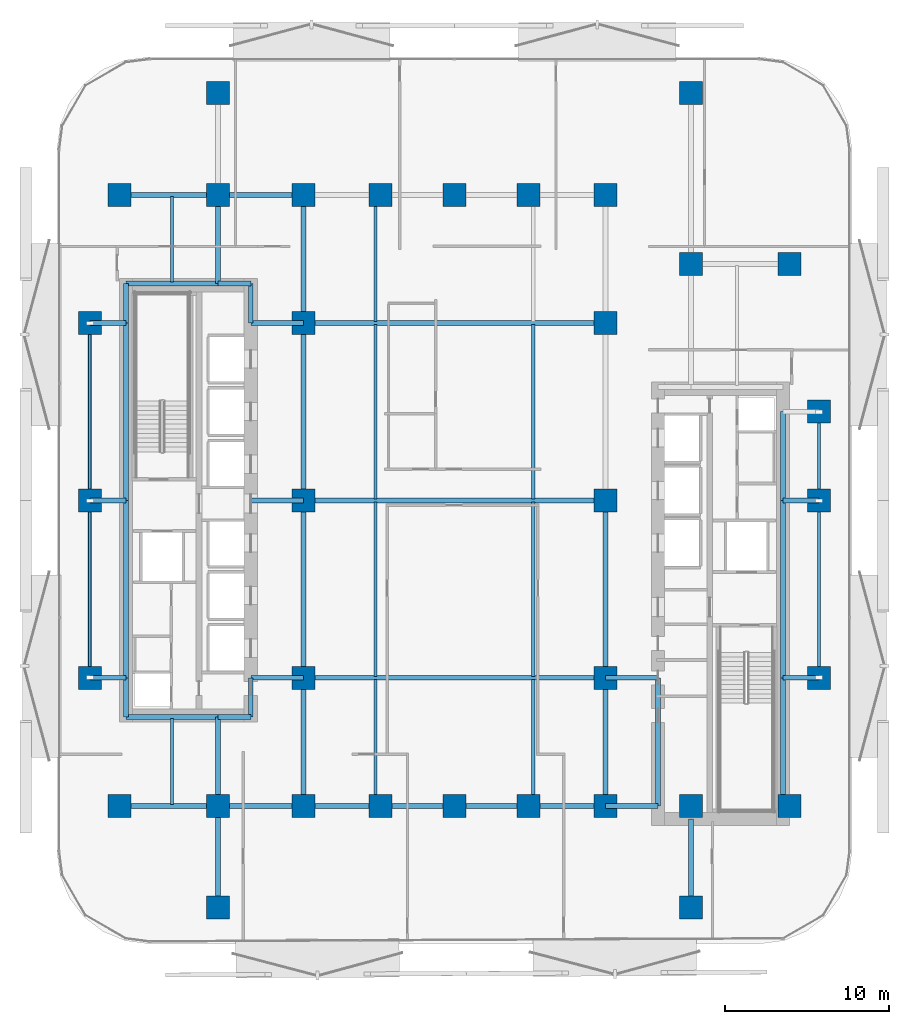
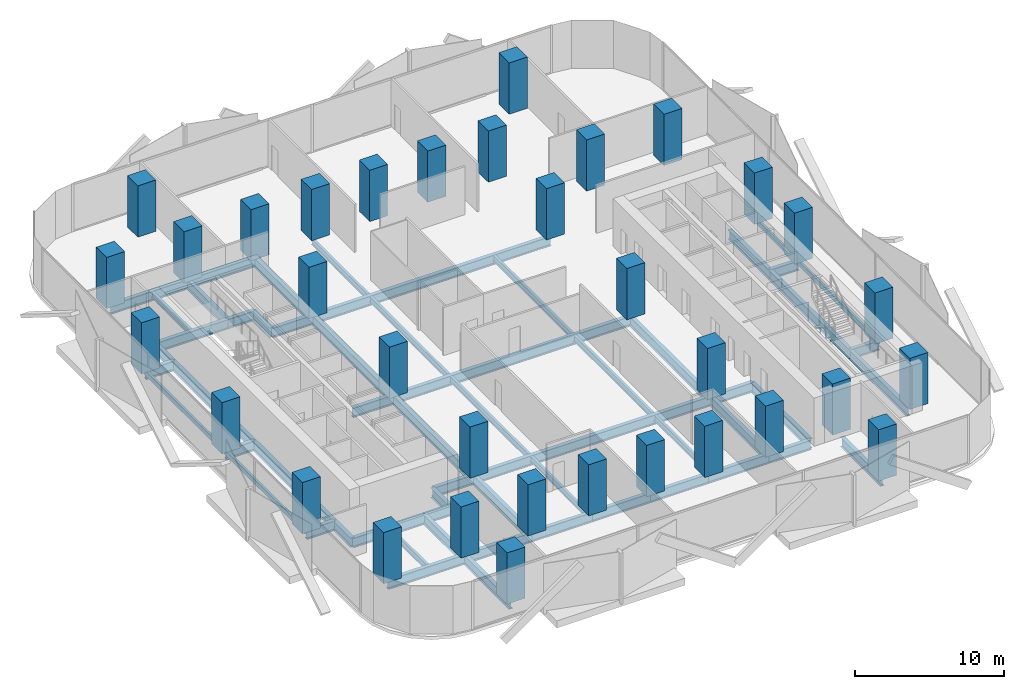
# One storey, part 1 of 15: 58 beams, 34 columns.
"""IFC4 building model written with IfcOpenShell, lengths in metres."""

from ifc_helpers import new_model, si_unit, direction, frame, origin, origin_2d, place, context, subcontext, project, spatial, rectangle, hollow_rectangle, i_section, extrude, material, material_profile, profile_set, type_object, element, save


model = new_model("IFC4")

# Units and contexts
model_context = context("Model", 3, precision=1e-05, world=origin(), true_north=direction((0.0, 1.0)))
body_context = subcontext(model_context, "Body", "Model", "MODEL_VIEW")
ifc_project = project(units=[si_unit("LENGTHUNIT", "METRE"), si_unit("AREAUNIT", "SQUARE_METRE"), si_unit("VOLUMEUNIT", "CUBIC_METRE"), si_unit("PLANEANGLEUNIT", "RADIAN"), si_unit("MASSUNIT", "GRAM", prefix="KILO")], contexts=[model_context])

# Site, building, storey
site_placement = place(None, origin())
site = spatial("IfcSite", under=ifc_project, at=site_placement, CompositionType="ELEMENT")
building_placement = place(site_placement, origin())
building = spatial("IfcBuilding", under=site, at=building_placement, Name="Khairoan Windgate Tower", CompositionType="ELEMENT")
storey_placement = place(building_placement, frame((0.0, 0.0, 76.39990234375)))
storey = spatial("IfcBuildingStorey", under=building, at=storey_placement, Name="L18", CompositionType="ELEMENT", Elevation=76.39990234375)

# Columns
ifc_material_1 = material(Name="Concrete C60/75", Category="concrete")
ifc_material_profile_1 = material_profile(ifc_material_1, rectangle(XDim=1.39990234375, YDim=1.39990234375, at=origin_2d()))
ifc_profile_set_1 = profile_set([ifc_material_profile_1], Name="Concrete C60/75")
column_type = type_object("IfcColumnType", Name="Column C-T2 RC1400x1400", PredefinedType="COLUMN", material=ifc_profile_set_1)
for number, where, z_axis, x_axis, name in (
    (1, (-9.199951171875, -18.60009765625, 0.0), (0.0, 0.0, 1.0), (1.0, 0.0, 0.0), "Column L18-01"),
    (2, (-9.199951171875, -10.800048828125, 0.0), (0.0, 0.0, 1.0), (1.0, 0.0, 0.0), "Column L18-02"),
    (3, (-9.199951171875, 0.0, 0.0), (0.0, 0.0, 1.0), (1.0, 0.0, 0.0), "Column L18-03"),
    (4, (-9.199951171875, 10.800048828125, 0.0), (0.0, 0.0, 1.0), (1.0, 0.0, 0.0), "Column L18-04"),
    (5, (-9.199951171875, 18.60009765625, 0.0), (0.0, 0.0, 1.0), (1.0, 0.0, 0.0), "Column L18-05"),
    (6, (9.199951171875, -18.60009765625, 0.0), (0.0, 0.0, 1.0), (1.0, 0.0, 0.0), "Column L18-06"),
    (7, (9.199951171875, -10.800048828125, 0.0), (0.0, 0.0, 1.0), (1.0, 0.0, 0.0), "Column L18-07"),
    (8, (9.199951171875, 0.0, 0.0), (0.0, 0.0, 1.0), (1.0, 0.0, 0.0), "Column L18-08"),
    (9, (9.199951171875, 10.800048828125, 0.0), (0.0, 0.0, 1.0), (1.0, 0.0, 0.0), "Column L18-09"),
    (10, (9.199951171875, 18.60009765625, 0.0), (0.0, 0.0, 1.0), (1.0, 0.0, 0.0), "Column L18-10"),
    (11, (-20.39990234375, -18.60009765625, 0.0), (0.0, 0.0, 1.0), (1.0, 0.0, 0.0), "Column L18-11"),
    (12, (-20.39990234375, 18.60009765625, 0.0), (0.0, 0.0, 1.0), (1.0, 0.0, 0.0), "Column L18-12"),
    (13, (20.39990234375, -18.60009765625, 0.0), (0.0, 0.0, 1.0), (1.0, 0.0, 0.0), "Column L18-13"),
    (14, (20.39990234375, 14.39990234375, 0.0), (0.0, 0.0, 1.0), (1.0, 0.0, 0.0), "Column L18-14"),
    (15, (-14.39990234375, -18.60009765625, 0.0), (0.0, 0.0, 1.0), (1.0, 0.0, 0.0), "Column L18-15"),
    (16, (-14.39990234375, 18.60009765625, 0.0), (0.0, 0.0, 1.0), (1.0, 0.0, 0.0), "Column L18-16"),
    (17, (14.39990234375, -18.60009765625, 0.0), (0.0, 0.0, 1.0), (1.0, 0.0, 0.0), "Column L18-17"),
    (18, (14.39990234375, 14.39990234375, 0.0), (0.0, 0.0, 1.0), (1.0, 0.0, 0.0), "Column L18-18"),
    (19, (-4.5, -18.60009765625, 0.0), (0.0, 0.0, 1.0), (1.0, 0.0, 0.0), "Column L18-19"),
    (20, (0.0, -18.60009765625, 0.0), (0.0, 0.0, 1.0), (1.0, 0.0, 0.0), "Column L18-20"),
    (21, (4.5, -18.60009765625, 0.0), (0.0, 0.0, 1.0), (1.0, 0.0, 0.0), "Column L18-21"),
    (22, (-4.5, 18.60009765625, 0.0), (0.0, 0.0, 1.0), (1.0, 0.0, 0.0), "Column L18-22"),
    (23, (0.0, 18.60009765625, 0.0), (0.0, 0.0, 1.0), (1.0, 0.0, 0.0), "Column L18-23"),
    (24, (4.5, 18.60009765625, 0.0), (0.0, 0.0, 1.0), (1.0, 0.0, 0.0), "Column L18-24"),
    (25, (-22.199951171875, -10.800048828125, 0.0), (0.0, 0.0, 1.0), (1.0, 0.0, 0.0), "Column L18-25"),
    (26, (-22.199951171875, 0.0, 0.0), (0.0, 0.0, 1.0), (1.0, 0.0, 0.0), "Column L18-26"),
    (27, (-22.199951171875, 10.800048828125, 0.0), (0.0, 0.0, 1.0), (1.0, 0.0, 0.0), "Column L18-27"),
    (28, (22.199951171875, -10.800048828125, 0.0), (0.0, 0.0, 1.0), (1.0, 0.0, 0.0), "Column L18-28"),
    (29, (22.199951171875, 0.0, 0.0), (0.0, 0.0, 1.0), (1.0, 0.0, 0.0), "Column L18-29"),
    (30, (22.199951171875, 5.39990234375, 0.0), (0.0, 0.0, 1.0), (1.0, 0.0, 0.0), "Column L18-30"),
    (31, (-14.39990234375, -24.800048828125, 0.0), (0.0, 0.0, 1.0), (1.0, 0.0, 0.0), "Column L18-31"),
    (32, (-14.39990234375, 24.800048828125, 0.0), (0.0, 0.0, 1.0), (1.0, 0.0, 0.0), "Column L18-32"),
    (33, (14.39990234375, -24.800048828125, 0.0), (0.0, 0.0, 1.0), (1.0, 0.0, 0.0), "Column L18-33"),
    (34, (14.39990234375, 24.800048828125, 0.0), (0.0, 0.0, 1.0), (1.0, 0.0, 0.0), "Column L18-34"),
):
    element("IfcColumn", number, at=place(storey_placement, frame(where, z_axis=z_axis, x_axis=x_axis)), inside=storey, type_object=column_type, Name=name, PredefinedType="COLUMN", context=body_context, shape_type="SweptSolid", body=[
        extrude(rectangle(XDim=1.39990234375, YDim=1.39990234375, at=origin_2d()), origin(), (0.0, 0.0, 1.0), 4.2001953125),
    ])

# Beams
ifc_material_2 = material(Name="Steel S355", Category="steel")
ifc_material_profile_2 = material_profile(ifc_material_2, i_section(OverallWidth=0.300048828125, OverallDepth=0.800048828125, WebThickness=0.013916015625, FlangeThickness=0.02587890625, FilletRadius=0.028076171875, at=origin_2d()))
ifc_profile_set_2 = profile_set([ifc_material_profile_2], Name="Steel S355")
beam_type_1 = type_object("IfcBeamType", Name="Beam B-G2 H800x300x14x26", PredefinedType="BEAM", material=ifc_profile_set_2)
beam_1_placement = place(storey_placement, frame((-20.39990234375, -18.60009765625, -0.659912109375), z_axis=(1.0, 0.0, 0.0), x_axis=(0.0, 1.0, 0.0)))
element("IfcBeam", 35, at=beam_1_placement, inside=storey, type_object=beam_type_1, Name="L18 E-W Primary Girder 01", PredefinedType="BEAM", context=body_context, shape_type="SweptSolid", body=[
    extrude(i_section(OverallWidth=0.300048828125, OverallDepth=0.800048828125, WebThickness=0.013916015625, FlangeThickness=0.02587890625, FilletRadius=0.028076171875, at=origin_2d()), origin(), (0.0, 0.0, 1.0), 6.0),
])
beam_2_placement = place(storey_placement, frame((-14.39990234375, -18.60009765625, -0.659912109375), z_axis=(1.0, 0.0, 0.0), x_axis=(0.0, 1.0, 0.0)))
element("IfcBeam", 36, at=beam_2_placement, inside=storey, type_object=beam_type_1, Name="L18 E-W Primary Girder 02", PredefinedType="BEAM", context=body_context, shape_type="SweptSolid", body=[
    extrude(i_section(OverallWidth=0.300048828125, OverallDepth=0.800048828125, WebThickness=0.013916015625, FlangeThickness=0.02587890625, FilletRadius=0.028076171875, at=origin_2d()), origin(), (0.0, 0.0, 1.0), 5.199951171875),
])
beam_3_placement = place(storey_placement, frame((-9.199951171875, -18.60009765625, -0.659912109375), z_axis=(1.0, 0.0, 0.0), x_axis=(0.0, 1.0, 0.0)))
element("IfcBeam", 37, at=beam_3_placement, inside=storey, type_object=beam_type_1, Name="L18 E-W Primary Girder 03", PredefinedType="BEAM", context=body_context, shape_type="SweptSolid", body=[
    extrude(i_section(OverallWidth=0.300048828125, OverallDepth=0.800048828125, WebThickness=0.013916015625, FlangeThickness=0.02587890625, FilletRadius=0.028076171875, at=origin_2d()), origin(), (0.0, 0.0, 1.0), 4.699951171875),
])
for number, where, z_axis, x_axis, name in (
    (38, (-4.5, -18.60009765625, -0.659912109375), (1.0, 0.0, 0.0), (0.0, 1.0, 0.0), "L18 E-W Primary Girder 04"),
    (39, (0.0, -18.60009765625, -0.659912109375), (1.0, 0.0, 0.0), (0.0, 1.0, 0.0), "L18 E-W Primary Girder 05"),
):
    element("IfcBeam", number, at=place(storey_placement, frame(where, z_axis=z_axis, x_axis=x_axis)), inside=storey, type_object=beam_type_1, Name=name, PredefinedType="BEAM", context=body_context, shape_type="SweptSolid", body=[
        extrude(i_section(OverallWidth=0.300048828125, OverallDepth=0.800048828125, WebThickness=0.013916015625, FlangeThickness=0.02587890625, FilletRadius=0.028076171875, at=origin_2d()), origin(), (0.0, 0.0, 1.0), 4.5),
    ])
beam_4_placement = place(storey_placement, frame((4.5, -18.60009765625, -0.659912109375), z_axis=(1.0, 0.0, 0.0), x_axis=(0.0, 1.0, 0.0)))
element("IfcBeam", 40, at=beam_4_placement, inside=storey, type_object=beam_type_1, Name="L18 E-W Primary Girder 06", PredefinedType="BEAM", context=body_context, shape_type="SweptSolid", body=[
    extrude(i_section(OverallWidth=0.300048828125, OverallDepth=0.800048828125, WebThickness=0.013916015625, FlangeThickness=0.02587890625, FilletRadius=0.028076171875, at=origin_2d()), origin(), (0.0, 0.0, 1.0), 4.699951171875),
])
beam_5_placement = place(storey_placement, frame((9.199951171875, -18.60009765625, -0.659912109375), z_axis=(1.0, 0.0, 0.0), x_axis=(0.0, 1.0, 0.0)))
element("IfcBeam", 41, at=beam_5_placement, inside=storey, type_object=beam_type_1, Name="L18 E-W Primary Girder 07", PredefinedType="BEAM", context=body_context, shape_type="SweptSolid", body=[
    extrude(i_section(OverallWidth=0.300048828125, OverallDepth=0.800048828125, WebThickness=0.013916015625, FlangeThickness=0.02587890625, FilletRadius=0.028076171875, at=origin_2d()), origin(), (0.0, 0.0, 1.0), 3.199951171875),
])
beam_6_placement = place(storey_placement, frame((-20.0, -13.199951171875, -0.659912109375), z_axis=(1.0, 0.0, 0.0), x_axis=(0.0, 1.0, 0.0)))
element("IfcBeam", 42, at=beam_6_placement, inside=storey, type_object=beam_type_1, Name="L18 E-W Primary Girder 08", PredefinedType="BEAM", context=body_context, shape_type="SweptSolid", body=[
    extrude(i_section(OverallWidth=0.300048828125, OverallDepth=0.800048828125, WebThickness=0.013916015625, FlangeThickness=0.02587890625, FilletRadius=0.028076171875, at=origin_2d()), origin(), (0.0, 0.0, 1.0), 5.60009765625),
])
beam_7_placement = place(storey_placement, frame((-14.39990234375, -13.199951171875, -0.659912109375), z_axis=(1.0, 0.0, 0.0), x_axis=(0.0, 1.0, 0.0)))
element("IfcBeam", 43, at=beam_7_placement, inside=storey, type_object=beam_type_1, Name="L18 E-W Primary Girder 09", PredefinedType="BEAM", context=body_context, shape_type="SweptSolid", body=[
    extrude(i_section(OverallWidth=0.300048828125, OverallDepth=0.800048828125, WebThickness=0.013916015625, FlangeThickness=0.02587890625, FilletRadius=0.028076171875, at=origin_2d()), origin(), (0.0, 0.0, 1.0), 2.0),
])
beam_8_placement = place(storey_placement, frame((-22.199951171875, -10.800048828125, -0.659912109375), z_axis=(1.0, 0.0, 0.0), x_axis=(0.0, 1.0, 0.0)))
element("IfcBeam", 44, at=beam_8_placement, inside=storey, type_object=beam_type_1, Name="L18 E-W Primary Girder 10", PredefinedType="BEAM", context=body_context, shape_type="SweptSolid", body=[
    extrude(i_section(OverallWidth=0.300048828125, OverallDepth=0.800048828125, WebThickness=0.013916015625, FlangeThickness=0.02587890625, FilletRadius=0.028076171875, at=origin_2d()), origin(), (0.0, 0.0, 1.0), 2.199951171875),
])
beam_9_placement = place(storey_placement, frame((-12.39990234375, -10.800048828125, -0.659912109375), z_axis=(1.0, 0.0, 0.0), x_axis=(0.0, 1.0, 0.0)))
element("IfcBeam", 45, at=beam_9_placement, inside=storey, type_object=beam_type_1, Name="L18 E-W Primary Girder 11", PredefinedType="BEAM", context=body_context, shape_type="SweptSolid", body=[
    extrude(i_section(OverallWidth=0.300048828125, OverallDepth=0.800048828125, WebThickness=0.013916015625, FlangeThickness=0.02587890625, FilletRadius=0.028076171875, at=origin_2d()), origin(), (0.0, 0.0, 1.0), 3.199951171875),
])
beam_10_placement = place(storey_placement, frame((-9.199951171875, -10.800048828125, -0.659912109375), z_axis=(1.0, 0.0, 0.0), x_axis=(0.0, 1.0, 0.0)))
element("IfcBeam", 46, at=beam_10_placement, inside=storey, type_object=beam_type_1, Name="L18 E-W Primary Girder 12", PredefinedType="BEAM", context=body_context, shape_type="SweptSolid", body=[
    extrude(i_section(OverallWidth=0.300048828125, OverallDepth=0.800048828125, WebThickness=0.013916015625, FlangeThickness=0.02587890625, FilletRadius=0.028076171875, at=origin_2d()), origin(), (0.0, 0.0, 1.0), 18.39990234375),
])
beam_11_placement = place(storey_placement, frame((9.199951171875, -10.800048828125, -0.659912109375), z_axis=(1.0, 0.0, 0.0), x_axis=(0.0, 1.0, 0.0)))
element("IfcBeam", 47, at=beam_11_placement, inside=storey, type_object=beam_type_1, Name="L18 E-W Primary Girder 13", PredefinedType="BEAM", context=body_context, shape_type="SweptSolid", body=[
    extrude(i_section(OverallWidth=0.300048828125, OverallDepth=0.800048828125, WebThickness=0.013916015625, FlangeThickness=0.02587890625, FilletRadius=0.028076171875, at=origin_2d()), origin(), (0.0, 0.0, 1.0), 3.199951171875),
])
for number, where, z_axis, x_axis, name in (
    (48, (20.0, -10.800048828125, -0.659912109375), (1.0, 0.0, 0.0), (0.0, 1.0, 0.0), "L18 E-W Primary Girder 14"),
    (49, (-22.199951171875, 0.0, -0.659912109375), (1.0, 0.0, 0.0), (0.0, 1.0, 0.0), "L18 E-W Primary Girder 15"),
):
    element("IfcBeam", number, at=place(storey_placement, frame(where, z_axis=z_axis, x_axis=x_axis)), inside=storey, type_object=beam_type_1, Name=name, PredefinedType="BEAM", context=body_context, shape_type="SweptSolid", body=[
        extrude(i_section(OverallWidth=0.300048828125, OverallDepth=0.800048828125, WebThickness=0.013916015625, FlangeThickness=0.02587890625, FilletRadius=0.028076171875, at=origin_2d()), origin(), (0.0, 0.0, 1.0), 2.199951171875),
    ])
beam_12_placement = place(storey_placement, frame((-12.39990234375, 0.0, -0.659912109375), z_axis=(1.0, 0.0, 0.0), x_axis=(0.0, 1.0, 0.0)))
element("IfcBeam", 50, at=beam_12_placement, inside=storey, type_object=beam_type_1, Name="L18 E-W Primary Girder 16", PredefinedType="BEAM", context=body_context, shape_type="SweptSolid", body=[
    extrude(i_section(OverallWidth=0.300048828125, OverallDepth=0.800048828125, WebThickness=0.013916015625, FlangeThickness=0.02587890625, FilletRadius=0.028076171875, at=origin_2d()), origin(), (0.0, 0.0, 1.0), 3.199951171875),
])
beam_13_placement = place(storey_placement, frame((-9.199951171875, 0.0, -0.659912109375), z_axis=(1.0, 0.0, 0.0), x_axis=(0.0, 1.0, 0.0)))
element("IfcBeam", 51, at=beam_13_placement, inside=storey, type_object=beam_type_1, Name="L18 E-W Primary Girder 17", PredefinedType="BEAM", context=body_context, shape_type="SweptSolid", body=[
    extrude(i_section(OverallWidth=0.300048828125, OverallDepth=0.800048828125, WebThickness=0.013916015625, FlangeThickness=0.02587890625, FilletRadius=0.028076171875, at=origin_2d()), origin(), (0.0, 0.0, 1.0), 18.39990234375),
])
for number, where, z_axis, x_axis, name in (
    (52, (20.0, 0.0, -0.659912109375), (1.0, 0.0, 0.0), (0.0, 1.0, 0.0), "L18 E-W Primary Girder 18"),
    (53, (-22.199951171875, 10.800048828125, -0.659912109375), (1.0, 0.0, 0.0), (0.0, 1.0, 0.0), "L18 E-W Primary Girder 22"),
):
    element("IfcBeam", number, at=place(storey_placement, frame(where, z_axis=z_axis, x_axis=x_axis)), inside=storey, type_object=beam_type_1, Name=name, PredefinedType="BEAM", context=body_context, shape_type="SweptSolid", body=[
        extrude(i_section(OverallWidth=0.300048828125, OverallDepth=0.800048828125, WebThickness=0.013916015625, FlangeThickness=0.02587890625, FilletRadius=0.028076171875, at=origin_2d()), origin(), (0.0, 0.0, 1.0), 2.199951171875),
    ])
beam_14_placement = place(storey_placement, frame((-12.39990234375, 10.800048828125, -0.659912109375), z_axis=(1.0, 0.0, 0.0), x_axis=(0.0, 1.0, 0.0)))
element("IfcBeam", 54, at=beam_14_placement, inside=storey, type_object=beam_type_1, Name="L18 E-W Primary Girder 23", PredefinedType="BEAM", context=body_context, shape_type="SweptSolid", body=[
    extrude(i_section(OverallWidth=0.300048828125, OverallDepth=0.800048828125, WebThickness=0.013916015625, FlangeThickness=0.02587890625, FilletRadius=0.028076171875, at=origin_2d()), origin(), (0.0, 0.0, 1.0), 3.199951171875),
])
beam_15_placement = place(storey_placement, frame((-9.199951171875, 10.800048828125, -0.659912109375), z_axis=(1.0, 0.0, 0.0), x_axis=(0.0, 1.0, 0.0)))
element("IfcBeam", 55, at=beam_15_placement, inside=storey, type_object=beam_type_1, Name="L18 E-W Primary Girder 24", PredefinedType="BEAM", context=body_context, shape_type="SweptSolid", body=[
    extrude(i_section(OverallWidth=0.300048828125, OverallDepth=0.800048828125, WebThickness=0.013916015625, FlangeThickness=0.02587890625, FilletRadius=0.028076171875, at=origin_2d()), origin(), (0.0, 0.0, 1.0), 18.39990234375),
])
beam_16_placement = place(storey_placement, frame((-20.0, 13.199951171875, -0.659912109375), z_axis=(1.0, 0.0, 0.0), x_axis=(0.0, 1.0, 0.0)))
element("IfcBeam", 56, at=beam_16_placement, inside=storey, type_object=beam_type_1, Name="L18 E-W Primary Girder 25", PredefinedType="BEAM", context=body_context, shape_type="SweptSolid", body=[
    extrude(i_section(OverallWidth=0.300048828125, OverallDepth=0.800048828125, WebThickness=0.013916015625, FlangeThickness=0.02587890625, FilletRadius=0.028076171875, at=origin_2d()), origin(), (0.0, 0.0, 1.0), 5.60009765625),
])
beam_17_placement = place(storey_placement, frame((-14.39990234375, 13.199951171875, -0.659912109375), z_axis=(1.0, 0.0, 0.0), x_axis=(0.0, 1.0, 0.0)))
element("IfcBeam", 57, at=beam_17_placement, inside=storey, type_object=beam_type_1, Name="L18 E-W Primary Girder 26", PredefinedType="BEAM", context=body_context, shape_type="SweptSolid", body=[
    extrude(i_section(OverallWidth=0.300048828125, OverallDepth=0.800048828125, WebThickness=0.013916015625, FlangeThickness=0.02587890625, FilletRadius=0.028076171875, at=origin_2d()), origin(), (0.0, 0.0, 1.0), 2.0),
])
beam_18_placement = place(storey_placement, frame((-20.39990234375, 18.60009765625, -0.659912109375), z_axis=(1.0, 0.0, 0.0), x_axis=(0.0, 1.0, 0.0)))
element("IfcBeam", 58, at=beam_18_placement, inside=storey, type_object=beam_type_1, Name="L18 E-W Primary Girder 28", PredefinedType="BEAM", context=body_context, shape_type="SweptSolid", body=[
    extrude(i_section(OverallWidth=0.300048828125, OverallDepth=0.800048828125, WebThickness=0.013916015625, FlangeThickness=0.02587890625, FilletRadius=0.028076171875, at=origin_2d()), origin(), (0.0, 0.0, 1.0), 6.0),
])
beam_19_placement = place(storey_placement, frame((-14.39990234375, 18.60009765625, -0.659912109375), z_axis=(1.0, 0.0, 0.0), x_axis=(0.0, 1.0, 0.0)))
element("IfcBeam", 59, at=beam_19_placement, inside=storey, type_object=beam_type_1, Name="L18 E-W Primary Girder 29", PredefinedType="BEAM", context=body_context, shape_type="SweptSolid", body=[
    extrude(i_section(OverallWidth=0.300048828125, OverallDepth=0.800048828125, WebThickness=0.013916015625, FlangeThickness=0.02587890625, FilletRadius=0.028076171875, at=origin_2d()), origin(), (0.0, 0.0, 1.0), 5.199951171875),
])
beam_20_placement = place(storey_placement, frame((-20.0, -13.199951171875, -0.659912109375), z_axis=(0.0, 1.0, 0.0), x_axis=(-1.0, 0.0, 0.0)))
element("IfcBeam", 60, at=beam_20_placement, inside=storey, type_object=beam_type_1, Name="L18 N-S Primary Beam 36", PredefinedType="BEAM", context=body_context, shape_type="SweptSolid", body=[
    extrude(i_section(OverallWidth=0.300048828125, OverallDepth=0.800048828125, WebThickness=0.013916015625, FlangeThickness=0.02587890625, FilletRadius=0.028076171875, at=origin_2d()), origin(), (0.0, 0.0, 1.0), 2.39990234375),
])
for number, where, z_axis, x_axis, name in (
    (61, (-20.0, -10.800048828125, -0.659912109375), (0.0, 1.0, 0.0), (-1.0, 0.0, 0.0), "L18 N-S Primary Beam 37"),
    (62, (-20.0, 0.0, -0.659912109375), (0.0, 1.0, 0.0), (-1.0, 0.0, 0.0), "L18 N-S Primary Beam 38"),
):
    element("IfcBeam", number, at=place(storey_placement, frame(where, z_axis=z_axis, x_axis=x_axis)), inside=storey, type_object=beam_type_1, Name=name, PredefinedType="BEAM", context=body_context, shape_type="SweptSolid", body=[
        extrude(i_section(OverallWidth=0.300048828125, OverallDepth=0.800048828125, WebThickness=0.013916015625, FlangeThickness=0.02587890625, FilletRadius=0.028076171875, at=origin_2d()), origin(), (0.0, 0.0, 1.0), 10.800048828125),
    ])
beam_21_placement = place(storey_placement, frame((-20.0, 10.800048828125, -0.659912109375), z_axis=(0.0, 1.0, 0.0), x_axis=(-1.0, 0.0, 0.0)))
element("IfcBeam", 63, at=beam_21_placement, inside=storey, type_object=beam_type_1, Name="L18 N-S Primary Beam 39", PredefinedType="BEAM", context=body_context, shape_type="SweptSolid", body=[
    extrude(i_section(OverallWidth=0.300048828125, OverallDepth=0.800048828125, WebThickness=0.013916015625, FlangeThickness=0.02587890625, FilletRadius=0.028076171875, at=origin_2d()), origin(), (0.0, 0.0, 1.0), 2.39990234375),
])
beam_22_placement = place(storey_placement, frame((-14.39990234375, -24.800048828125, -0.659912109375), z_axis=(0.0, 1.0, 0.0), x_axis=(-1.0, 0.0, 0.0)))
element("IfcBeam", 64, at=beam_22_placement, inside=storey, type_object=beam_type_1, Name="L18 N-S Primary Beam 40", PredefinedType="BEAM", context=body_context, shape_type="SweptSolid", body=[
    extrude(i_section(OverallWidth=0.300048828125, OverallDepth=0.800048828125, WebThickness=0.013916015625, FlangeThickness=0.02587890625, FilletRadius=0.028076171875, at=origin_2d()), origin(), (0.0, 0.0, 1.0), 6.199951171875),
])
for number, where, z_axis, x_axis, name in (
    (65, (-14.39990234375, -18.60009765625, -0.659912109375), (0.0, 1.0, 0.0), (-1.0, 0.0, 0.0), "L18 N-S Primary Beam 41"),
    (66, (-14.39990234375, 13.199951171875, -0.659912109375), (0.0, 1.0, 0.0), (-1.0, 0.0, 0.0), "L18 N-S Primary Beam 42"),
):
    element("IfcBeam", number, at=place(storey_placement, frame(where, z_axis=z_axis, x_axis=x_axis)), inside=storey, type_object=beam_type_1, Name=name, PredefinedType="BEAM", context=body_context, shape_type="SweptSolid", body=[
        extrude(i_section(OverallWidth=0.300048828125, OverallDepth=0.800048828125, WebThickness=0.013916015625, FlangeThickness=0.02587890625, FilletRadius=0.028076171875, at=origin_2d()), origin(), (0.0, 0.0, 1.0), 5.400146484375),
    ])
for number, where, z_axis, x_axis, name in (
    (67, (-12.39990234375, -13.199951171875, -0.659912109375), (0.0, 1.0, 0.0), (-1.0, 0.0, 0.0), "L18 N-S Primary Beam 44"),
    (68, (-12.39990234375, 10.800048828125, -0.659912109375), (0.0, 1.0, 0.0), (-1.0, 0.0, 0.0), "L18 N-S Primary Beam 45"),
):
    element("IfcBeam", number, at=place(storey_placement, frame(where, z_axis=z_axis, x_axis=x_axis)), inside=storey, type_object=beam_type_1, Name=name, PredefinedType="BEAM", context=body_context, shape_type="SweptSolid", body=[
        extrude(i_section(OverallWidth=0.300048828125, OverallDepth=0.800048828125, WebThickness=0.013916015625, FlangeThickness=0.02587890625, FilletRadius=0.028076171875, at=origin_2d()), origin(), (0.0, 0.0, 1.0), 2.39990234375),
    ])
beam_23_placement = place(storey_placement, frame((-9.199951171875, -18.60009765625, -0.659912109375), z_axis=(0.0, 1.0, 0.0), x_axis=(-1.0, 0.0, 0.0)))
element("IfcBeam", 69, at=beam_23_placement, inside=storey, type_object=beam_type_1, Name="L18 N-S Primary Beam 46", PredefinedType="BEAM", context=body_context, shape_type="SweptSolid", body=[
    extrude(i_section(OverallWidth=0.300048828125, OverallDepth=0.800048828125, WebThickness=0.013916015625, FlangeThickness=0.02587890625, FilletRadius=0.028076171875, at=origin_2d()), origin(), (0.0, 0.0, 1.0), 7.800048828125),
])
for number, where, z_axis, x_axis, name in (
    (70, (-9.199951171875, -10.800048828125, -0.659912109375), (0.0, 1.0, 0.0), (-1.0, 0.0, 0.0), "L18 N-S Primary Beam 47"),
    (71, (-9.199951171875, 0.0, -0.659912109375), (0.0, 1.0, 0.0), (-1.0, 0.0, 0.0), "L18 N-S Primary Beam 48"),
):
    element("IfcBeam", number, at=place(storey_placement, frame(where, z_axis=z_axis, x_axis=x_axis)), inside=storey, type_object=beam_type_1, Name=name, PredefinedType="BEAM", context=body_context, shape_type="SweptSolid", body=[
        extrude(i_section(OverallWidth=0.300048828125, OverallDepth=0.800048828125, WebThickness=0.013916015625, FlangeThickness=0.02587890625, FilletRadius=0.028076171875, at=origin_2d()), origin(), (0.0, 0.0, 1.0), 10.800048828125),
    ])
for number, where, z_axis, x_axis, name in (
    (72, (-9.199951171875, 10.800048828125, -0.659912109375), (0.0, 1.0, 0.0), (-1.0, 0.0, 0.0), "L18 N-S Primary Beam 49"),
    (73, (9.199951171875, -18.60009765625, -0.659912109375), (0.0, 1.0, 0.0), (-1.0, 0.0, 0.0), "L18 N-S Primary Beam 50"),
):
    element("IfcBeam", number, at=place(storey_placement, frame(where, z_axis=z_axis, x_axis=x_axis)), inside=storey, type_object=beam_type_1, Name=name, PredefinedType="BEAM", context=body_context, shape_type="SweptSolid", body=[
        extrude(i_section(OverallWidth=0.300048828125, OverallDepth=0.800048828125, WebThickness=0.013916015625, FlangeThickness=0.02587890625, FilletRadius=0.028076171875, at=origin_2d()), origin(), (0.0, 0.0, 1.0), 7.800048828125),
    ])
beam_24_placement = place(storey_placement, frame((9.199951171875, -10.800048828125, -0.659912109375), z_axis=(0.0, 1.0, 0.0), x_axis=(-1.0, 0.0, 0.0)))
element("IfcBeam", 74, at=beam_24_placement, inside=storey, type_object=beam_type_1, Name="L18 N-S Primary Beam 51", PredefinedType="BEAM", context=body_context, shape_type="SweptSolid", body=[
    extrude(i_section(OverallWidth=0.300048828125, OverallDepth=0.800048828125, WebThickness=0.013916015625, FlangeThickness=0.02587890625, FilletRadius=0.028076171875, at=origin_2d()), origin(), (0.0, 0.0, 1.0), 10.800048828125),
])
beam_25_placement = place(storey_placement, frame((12.39990234375, -18.60009765625, -0.659912109375), z_axis=(0.0, 1.0, 0.0), x_axis=(-1.0, 0.0, 0.0)))
element("IfcBeam", 75, at=beam_25_placement, inside=storey, type_object=beam_type_1, Name="L18 N-S Primary Beam 54", PredefinedType="BEAM", context=body_context, shape_type="SweptSolid", body=[
    extrude(i_section(OverallWidth=0.300048828125, OverallDepth=0.800048828125, WebThickness=0.013916015625, FlangeThickness=0.02587890625, FilletRadius=0.028076171875, at=origin_2d()), origin(), (0.0, 0.0, 1.0), 7.800048828125),
])
beam_26_placement = place(storey_placement, frame((14.39990234375, -24.800048828125, -0.659912109375), z_axis=(0.0, 1.0, 0.0), x_axis=(-1.0, 0.0, 0.0)))
element("IfcBeam", 76, at=beam_26_placement, inside=storey, type_object=beam_type_1, Name="L18 N-S Primary Beam 55", PredefinedType="BEAM", context=body_context, shape_type="SweptSolid", body=[
    extrude(i_section(OverallWidth=0.300048828125, OverallDepth=0.800048828125, WebThickness=0.013916015625, FlangeThickness=0.02587890625, FilletRadius=0.028076171875, at=origin_2d()), origin(), (0.0, 0.0, 1.0), 5.400146484375),
])
beam_27_placement = place(storey_placement, frame((20.0, -18.60009765625, -0.659912109375), z_axis=(0.0, 1.0, 0.0), x_axis=(-1.0, 0.0, 0.0)))
element("IfcBeam", 77, at=beam_27_placement, inside=storey, type_object=beam_type_1, Name="L18 N-S Primary Beam 58", PredefinedType="BEAM", context=body_context, shape_type="SweptSolid", body=[
    extrude(i_section(OverallWidth=0.300048828125, OverallDepth=0.800048828125, WebThickness=0.013916015625, FlangeThickness=0.02587890625, FilletRadius=0.028076171875, at=origin_2d()), origin(), (0.0, 0.0, 1.0), 7.800048828125),
])
beam_28_placement = place(storey_placement, frame((20.0, -10.800048828125, -0.659912109375), z_axis=(0.0, 1.0, 0.0), x_axis=(-1.0, 0.0, 0.0)))
element("IfcBeam", 78, at=beam_28_placement, inside=storey, type_object=beam_type_1, Name="L18 N-S Primary Beam 59", PredefinedType="BEAM", context=body_context, shape_type="SweptSolid", body=[
    extrude(i_section(OverallWidth=0.300048828125, OverallDepth=0.800048828125, WebThickness=0.013916015625, FlangeThickness=0.02587890625, FilletRadius=0.028076171875, at=origin_2d()), origin(), (0.0, 0.0, 1.0), 10.800048828125),
])
beam_29_placement = place(storey_placement, frame((20.0, 0.0, -0.659912109375), z_axis=(0.0, 1.0, 0.0), x_axis=(-1.0, 0.0, 0.0)))
element("IfcBeam", 79, at=beam_29_placement, inside=storey, type_object=beam_type_1, Name="L18 N-S Primary Beam 60", PredefinedType="BEAM", context=body_context, shape_type="SweptSolid", body=[
    extrude(i_section(OverallWidth=0.300048828125, OverallDepth=0.800048828125, WebThickness=0.013916015625, FlangeThickness=0.02587890625, FilletRadius=0.028076171875, at=origin_2d()), origin(), (0.0, 0.0, 1.0), 5.39990234375),
])
ifc_material_3 = material(Name="Steel S355", Category="steel")
ifc_material_profile_3 = material_profile(ifc_material_3, i_section(OverallWidth=0.199951171875, OverallDepth=0.5, WebThickness=0.010009765625, FlangeThickness=0.01611328125, FilletRadius=0.02001953125, at=origin_2d()))
ifc_profile_set_3 = profile_set([ifc_material_profile_3], Name="Steel S355")
beam_type_2 = type_object("IfcBeamType", Name="Beam J-S2 H500x200x10x16", PredefinedType="JOIST", material=ifc_profile_set_3)
for number, where, z_axis, x_axis, name in (
    (80, (-17.199951171875, -18.510009765625, -0.510009765625), (0.0, 1.0, 0.0), (-1.0, 0.0, 0.0), "L18 Secondary Floor Joist 01"),
    (81, (-17.199951171875, 13.2900390625, -0.510009765625), (0.0, 1.0, 0.0), (-1.0, 0.0, 0.0), "L18 Secondary Floor Joist 02"),
):
    element("IfcBeam", number, at=place(storey_placement, frame(where, z_axis=z_axis, x_axis=x_axis)), inside=storey, type_object=beam_type_2, Name=name, PredefinedType="JOIST", context=body_context, shape_type="SweptSolid", body=[
        extrude(i_section(OverallWidth=0.199951171875, OverallDepth=0.5, WebThickness=0.010009765625, FlangeThickness=0.01611328125, FilletRadius=0.02001953125, at=origin_2d()), origin(), (0.0, 0.0, 1.0), 5.219970703125),
    ])
beam_30_placement = place(storey_placement, frame((-4.800048828125, -18.510009765625, -0.510009765625), z_axis=(0.0, 1.0, 0.0), x_axis=(-1.0, 0.0, 0.0)))
element("IfcBeam", 82, at=beam_30_placement, inside=storey, type_object=beam_type_2, Name="L18 Secondary Floor Joist 03", PredefinedType="JOIST", context=body_context, shape_type="SweptSolid", body=[
    extrude(i_section(OverallWidth=0.199951171875, OverallDepth=0.5, WebThickness=0.010009765625, FlangeThickness=0.01611328125, FilletRadius=0.02001953125, at=origin_2d()), origin(), (0.0, 0.0, 1.0), 7.6201171875),
])
for number, where, z_axis, x_axis, name in (
    (83, (-4.800048828125, -10.7099609375, -0.510009765625), (0.0, 1.0, 0.0), (-1.0, 0.0, 0.0), "L18 Secondary Floor Joist 04"),
    (84, (-4.800048828125, 0.090087890625, -0.510009765625), (0.0, 1.0, 0.0), (-1.0, 0.0, 0.0), "L18 Secondary Floor Joist 05"),
):
    element("IfcBeam", number, at=place(storey_placement, frame(where, z_axis=z_axis, x_axis=x_axis)), inside=storey, type_object=beam_type_2, Name=name, PredefinedType="JOIST", context=body_context, shape_type="SweptSolid", body=[
        extrude(i_section(OverallWidth=0.199951171875, OverallDepth=0.5, WebThickness=0.010009765625, FlangeThickness=0.01611328125, FilletRadius=0.02001953125, at=origin_2d()), origin(), (0.0, 0.0, 1.0), 10.619873046875),
    ])
for number, where, z_axis, x_axis, name in (
    (85, (-4.800048828125, 10.889892578125, -0.510009765625), (0.0, 1.0, 0.0), (-1.0, 0.0, 0.0), "L18 Secondary Floor Joist 06"),
    (86, (4.800048828125, -18.510009765625, -0.510009765625), (0.0, 1.0, 0.0), (-1.0, 0.0, 0.0), "L18 Secondary Floor Joist 07"),
):
    element("IfcBeam", number, at=place(storey_placement, frame(where, z_axis=z_axis, x_axis=x_axis)), inside=storey, type_object=beam_type_2, Name=name, PredefinedType="JOIST", context=body_context, shape_type="SweptSolid", body=[
        extrude(i_section(OverallWidth=0.199951171875, OverallDepth=0.5, WebThickness=0.010009765625, FlangeThickness=0.01611328125, FilletRadius=0.02001953125, at=origin_2d()), origin(), (0.0, 0.0, 1.0), 7.6201171875),
    ])
for number, where, z_axis, x_axis, name in (
    (87, (4.800048828125, -10.7099609375, -0.510009765625), (0.0, 1.0, 0.0), (-1.0, 0.0, 0.0), "L18 Secondary Floor Joist 08"),
    (88, (4.800048828125, 0.090087890625, -0.510009765625), (0.0, 1.0, 0.0), (-1.0, 0.0, 0.0), "L18 Secondary Floor Joist 09"),
):
    element("IfcBeam", number, at=place(storey_placement, frame(where, z_axis=z_axis, x_axis=x_axis)), inside=storey, type_object=beam_type_2, Name=name, PredefinedType="JOIST", context=body_context, shape_type="SweptSolid", body=[
        extrude(i_section(OverallWidth=0.199951171875, OverallDepth=0.5, WebThickness=0.010009765625, FlangeThickness=0.01611328125, FilletRadius=0.02001953125, at=origin_2d()), origin(), (0.0, 0.0, 1.0), 10.619873046875),
    ])
ifc_material_4 = material(Name="Steel S355", Category="steel")
ifc_material_profile_4 = material_profile(ifc_material_4, hollow_rectangle(XDim=0.199951171875, YDim=0.39990234375, WallThickness=0.013916015625, InnerFilletRadius=0.013916015625, OuterFilletRadius=0.028076171875, at=origin_2d()))
ifc_profile_set_4 = profile_set([ifc_material_profile_4], Name="Steel S355")
beam_type_3 = type_object("IfcBeamType", Name="Beam SP-B1 RHS400x200x14", PredefinedType="SPANDREL", material=ifc_profile_set_4)
for number, where, z_axis, x_axis, name in (
    (89, (-22.199951171875, -10.800048828125, -0.4599609375), (0.0, 1.0, 0.0), (-1.0, 0.0, 0.0), "L18 Spandrel Beam 34"),
    (90, (-22.199951171875, 0.0, -0.4599609375), (0.0, 1.0, 0.0), (-1.0, 0.0, 0.0), "L18 Spandrel Beam 35"),
    (91, (22.199951171875, -10.800048828125, -0.4599609375), (0.0, 1.0, 0.0), (-1.0, 0.0, 0.0), "L18 Spandrel Beam 61"),
):
    element("IfcBeam", number, at=place(storey_placement, frame(where, z_axis=z_axis, x_axis=x_axis)), inside=storey, type_object=beam_type_3, Name=name, PredefinedType="SPANDREL", context=body_context, shape_type="SweptSolid", body=[
        extrude(hollow_rectangle(XDim=0.199951171875, YDim=0.39990234375, WallThickness=0.013916015625, InnerFilletRadius=0.013916015625, OuterFilletRadius=0.028076171875, at=origin_2d()), origin(), (0.0, 0.0, 1.0), 10.800048828125),
    ])
beam_31_placement = place(storey_placement, frame((22.199951171875, 0.0, -0.4599609375), z_axis=(0.0, 1.0, 0.0), x_axis=(-1.0, 0.0, 0.0)))
element("IfcBeam", 92, at=beam_31_placement, inside=storey, type_object=beam_type_3, Name="L18 Spandrel Beam 62", PredefinedType="SPANDREL", context=body_context, shape_type="SweptSolid", body=[
    extrude(hollow_rectangle(XDim=0.199951171875, YDim=0.39990234375, WallThickness=0.013916015625, InnerFilletRadius=0.013916015625, OuterFilletRadius=0.028076171875, at=origin_2d()), origin(), (0.0, 0.0, 1.0), 5.39990234375),
])

save(model, "model.ifc")
